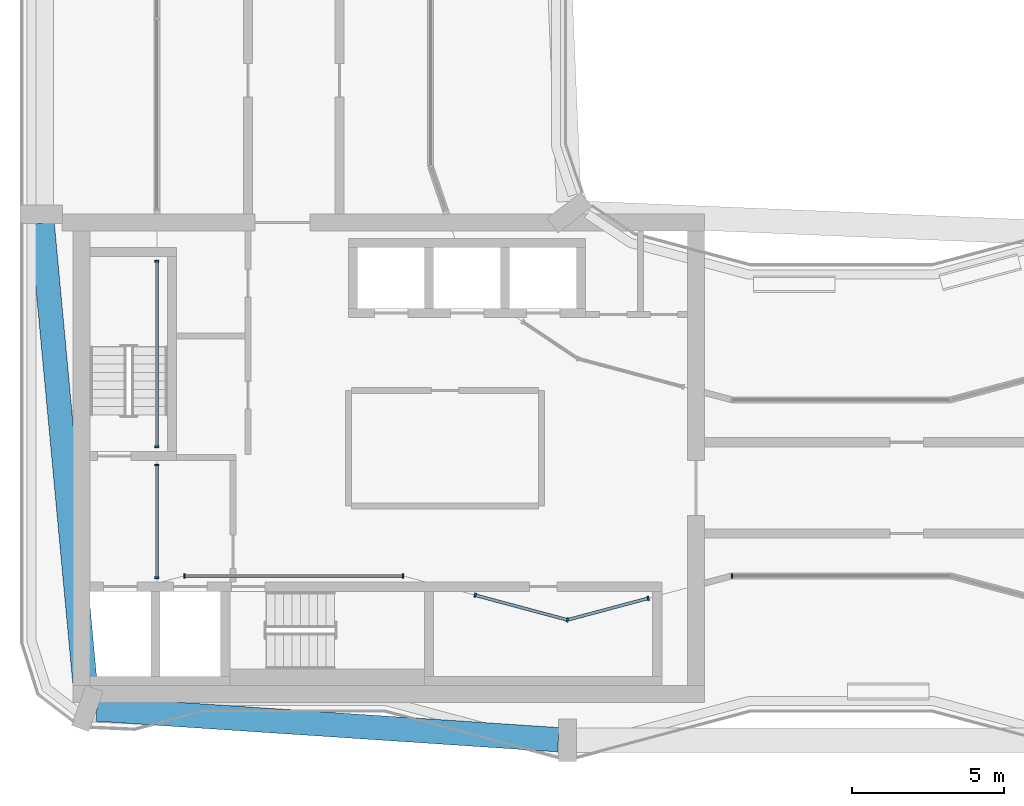
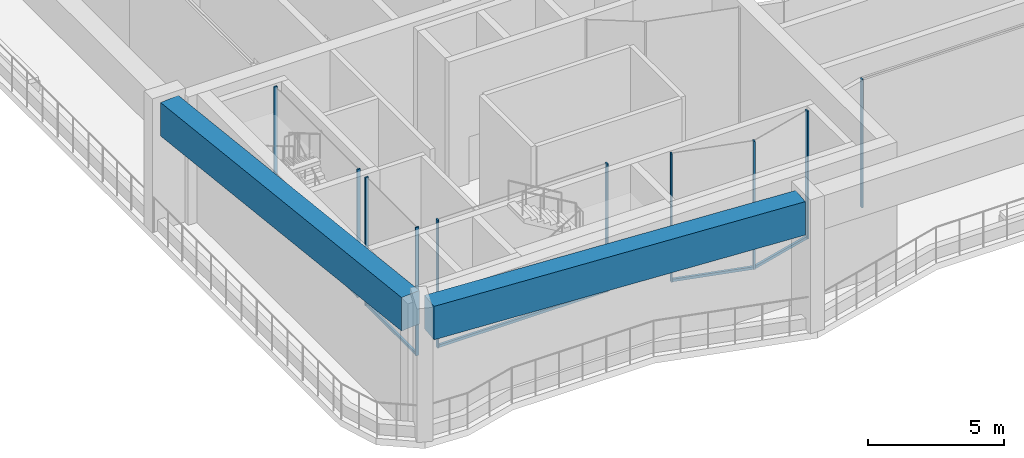
# One storey, part 2 of 17: 15 members, 2 beams, 6 elements without a shape of their own.
"""IFC4 building model written with IfcOpenShell, lengths in metres."""

from ifc_helpers import new_model, si_unit, direction, frame, origin, origin_2d, place, context, subcontext, project, spatial, rectangle, extrude, material, layer, layer_set, material_profile, profile_set, type_object, element, aggregate, save


model = new_model("IFC4")

# Units and contexts
model_context = context("Model", 3, precision=1e-05, world=origin(), true_north=direction((0.0, 1.0)))
body_context = subcontext(model_context, "Body", "Model", "MODEL_VIEW")
ifc_project = project(units=[si_unit("LENGTHUNIT", "METRE"), si_unit("AREAUNIT", "SQUARE_METRE"), si_unit("VOLUMEUNIT", "CUBIC_METRE"), si_unit("PLANEANGLEUNIT", "RADIAN"), si_unit("MASSUNIT", "GRAM", prefix="KILO")], contexts=[model_context])

# Site, building, storey
site_placement = place(None, origin())
site = spatial("IfcSite", under=ifc_project, at=site_placement, CompositionType="ELEMENT")
building_placement = place(site_placement, origin())
building = spatial("IfcBuilding", under=site, at=building_placement, Name="Plateau Cross Towers", CompositionType="ELEMENT")
storey_placement = place(building_placement, frame((0.0, 0.0, 184.89990234375)))
storey = spatial("IfcBuildingStorey", under=building, at=storey_placement, Name="L48", CompositionType="ELEMENT", Elevation=184.89990234375)

# Beams
ifc_material_1 = material(Name="Concrete C60/75", Category="concrete")
ifc_material_profile_1 = material_profile(ifc_material_1, rectangle(XDim=0.800048828125, YDim=1.5, at=origin_2d()), Name="RC 800x1500")
ifc_profile_set_1 = profile_set([ifc_material_profile_1], Name="Concrete C60/75")
beam_type = type_object("IfcBeamType", Name="Belt beam RC 800x1500", PredefinedType="BEAM", material=ifc_profile_set_1)
beam_1_placement = place(storey_placement, frame((0.72802734375, 17.699951171875, 5.0), z_axis=(0.092702367319, -0.995693864144, 0.0), x_axis=(0.995693864144, 0.092702367319, 0.0)))
element("IfcBeam", 1, at=beam_1_placement, inside=storey, type_object=beam_type, Name="BELT-L48-11", PredefinedType="BEAM", context=body_context, shape_type="SweptSolid", body=[
    extrude(rectangle(XDim=0.800048828125, YDim=1.5, at=origin_2d()), origin(), (0.0, 0.0, 1.0), 15.319580078125),
])
beam_2_placement = place(storey_placement, frame((2.52490234375, 1.727294921875, 5.0), z_axis=(0.99780408253, -0.06623452941, 0.0), x_axis=(0.06623452941, 0.99780408253, 0.0)))
element("IfcBeam", 2, at=beam_2_placement, inside=storey, type_object=beam_type, Name="BELT-L48-12", PredefinedType="BEAM", context=body_context, shape_type="SweptSolid", body=[
    extrude(rectangle(XDim=0.800048828125, YDim=1.5, at=origin_2d()), origin(), (0.0, 0.0, 1.0), 15.20849609375),
])

# Curtain wall, members
ifc_material_2 = material(Name="Dark low-iron glass", Category="glass")
ifc_layer = layer(ifc_material_2, 0.239990234375)
ifc_layer_set = layer_set([ifc_layer], Name="Dark low-iron glass")
curtain_wall_type = type_object("IfcCurtainWallType", Name="Curtain wall flush unitised CW-B", PredefinedType="NOTDEFINED", material=ifc_layer_set)
curtain_wall_1_placement = place(storey_placement, origin())
curtain_wall_1 = element("IfcCurtainWall", 3, at=curtain_wall_1_placement, inside=storey, type_object=curtain_wall_type, Name="ENV/A/L48/inner0_45_60", PredefinedType="NOTDEFINED")
ifc_material_3 = material(Name="Black anodised aluminium", Category="aluminium")
ifc_material_profile_2 = material_profile(ifc_material_3, rectangle(XDim=0.06005859375, YDim=0.139892578125, at=origin_2d()), Name="MULLION 60x140")
ifc_profile_set_2 = profile_set([ifc_material_profile_2], Name="Black anodised aluminium")
member_type_1 = type_object("IfcMemberType", Name="Mullion 60x140 flush unitised", PredefinedType="MULLION", material=ifc_profile_set_2)
member_1_placement = place(storey_placement, frame((4.5, 6.050048828125, 0.0), z_axis=(0.0, 0.0, 1.0), x_axis=(0.0, 1.0, 0.0)))
member_1 = element("IfcMember", 4, at=member_1_placement, type_object=member_type_1, Name="CW-B mullion 1", PredefinedType="MULLION", context=body_context, shape_type="SweptSolid", body=[
    extrude(rectangle(XDim=0.06005859375, YDim=0.139892578125, at=origin_2d()), origin(), (0.0, 0.0, 1.0), 5.75),
])
member_2_placement = place(storey_placement, frame((4.5, 9.75, 0.0), z_axis=(0.0, 0.0, 1.0), x_axis=(0.0, 1.0, 0.0)))
member_2 = element("IfcMember", 5, at=member_2_placement, type_object=member_type_1, Name="CW-B mullion 2", PredefinedType="MULLION", context=body_context, shape_type="SweptSolid", body=[
    extrude(rectangle(XDim=0.06005859375, YDim=0.139892578125, at=origin_2d()), origin(), (0.0, 0.0, 1.0), 5.75),
])

curtain_wall_2_placement = place(storey_placement, origin())
curtain_wall_2 = element("IfcCurtainWall", 6, at=curtain_wall_2_placement, inside=storey, type_object=curtain_wall_type, Name="ENV/A/L48/inner0_45_104", PredefinedType="NOTDEFINED")
member_3_placement = place(storey_placement, frame((4.5, 10.35009765625, 0.0), z_axis=(0.0, 0.0, 1.0), x_axis=(0.0, 1.0, 0.0)))
member_3 = element("IfcMember", 7, at=member_3_placement, type_object=member_type_1, Name="CW-B mullion 1", PredefinedType="MULLION", context=body_context, shape_type="SweptSolid", body=[
    extrude(rectangle(XDim=0.06005859375, YDim=0.139892578125, at=origin_2d()), origin(), (0.0, 0.0, 1.0), 5.75),
])
member_4_placement = place(storey_placement, frame((4.5, 16.449951171875, 0.0), z_axis=(0.0, 0.0, 1.0), x_axis=(0.0, 1.0, 0.0)))
member_4 = element("IfcMember", 8, at=member_4_placement, type_object=member_type_1, Name="CW-B mullion 2", PredefinedType="MULLION", context=body_context, shape_type="SweptSolid", body=[
    extrude(rectangle(XDim=0.06005859375, YDim=0.139892578125, at=origin_2d()), origin(), (0.0, 0.0, 1.0), 5.75),
])

# Curtain wall, member
curtain_wall_3_placement = place(storey_placement, origin())
curtain_wall_3 = element("IfcCurtainWall", 9, at=curtain_wall_3_placement, inside=storey, type_object=curtain_wall_type, Name="ENV/A/L48/inner0_306_61", PredefinedType="NOTDEFINED")
member_5_placement = place(storey_placement, frame((23.407958984375, 6.10693359375, 0.0), z_axis=(0.0, 0.0, 1.0), x_axis=(-1.0, 0.0, 0.0)))
member_5 = element("IfcMember", 10, at=member_5_placement, type_object=member_type_1, Name="CW-B mullion 2", PredefinedType="MULLION", context=body_context, shape_type="SweptSolid", body=[
    extrude(rectangle(XDim=0.06005859375, YDim=0.139892578125, at=origin_2d()), origin(), (0.0, 0.0, 1.0), 5.75),
])
aggregate(curtain_wall_3, [member_5])

curtain_wall_4_placement = place(storey_placement, origin())
curtain_wall_4 = element("IfcCurtainWall", 11, at=curtain_wall_4_placement, inside=storey, type_object=curtain_wall_type, Name="ENV/A/L48/inner0_207_54", PredefinedType="NOTDEFINED")
member_6_placement = place(storey_placement, frame((20.651123046875, 5.36865234375, 0.0), z_axis=(0.0, 0.0, 1.0), x_axis=(-0.965957983404, -0.258699003279, 0.0)))
member_6 = element("IfcMember", 12, at=member_6_placement, type_object=member_type_1, Name="CW-B mullion 1", PredefinedType="MULLION", context=body_context, shape_type="SweptSolid", body=[
    extrude(rectangle(XDim=0.06005859375, YDim=0.139892578125, at=origin_2d()), origin(), (0.0, 0.0, 1.0), 5.75),
])

# Curtain wall, members
curtain_wall_5_placement = place(storey_placement, origin())
curtain_wall_5 = element("IfcCurtainWall", 13, at=curtain_wall_5_placement, inside=storey, type_object=curtain_wall_type, Name="ENV/A/L48/inner0_180_47", PredefinedType="NOTDEFINED")
member_7_placement = place(storey_placement, frame((18.0, 4.65869140625, 0.0), z_axis=(0.0, 0.0, 1.0), x_axis=(-0.965957983404, 0.258699003279, 0.0)))
member_7 = element("IfcMember", 14, at=member_7_placement, type_object=member_type_1, Name="CW-B mullion 1", PredefinedType="MULLION", context=body_context, shape_type="SweptSolid", body=[
    extrude(rectangle(XDim=0.06005859375, YDim=0.139892578125, at=origin_2d()), origin(), (0.0, 0.0, 1.0), 5.75),
])
member_8_placement = place(storey_placement, frame((14.9619140625, 5.47216796875, 0.0), z_axis=(0.0, 0.0, 1.0), x_axis=(-0.965957983404, 0.258699003279, 0.0)))
member_8 = element("IfcMember", 15, at=member_8_placement, type_object=member_type_1, Name="CW-B mullion 2", PredefinedType="MULLION", context=body_context, shape_type="SweptSolid", body=[
    extrude(rectangle(XDim=0.06005859375, YDim=0.139892578125, at=origin_2d()), origin(), (0.0, 0.0, 1.0), 5.75),
])

curtain_wall_6_placement = place(storey_placement, origin())
curtain_wall_6 = element("IfcCurtainWall", 16, at=curtain_wall_6_placement, inside=storey, type_object=curtain_wall_type, Name="ENV/A/L48/inner0_126_61", PredefinedType="NOTDEFINED")
member_9_placement = place(storey_placement, frame((12.592041015625, 6.10693359375, 0.0), z_axis=(0.0, 0.0, 1.0), x_axis=(-1.0, 0.0, 0.0)))
member_9 = element("IfcMember", 17, at=member_9_placement, type_object=member_type_1, Name="CW-B mullion 1", PredefinedType="MULLION", context=body_context, shape_type="SweptSolid", body=[
    extrude(rectangle(XDim=0.06005859375, YDim=0.139892578125, at=origin_2d()), origin(), (0.0, 0.0, 1.0), 5.75),
])
member_10_placement = place(storey_placement, frame((5.407958984375, 6.10693359375, 0.0), z_axis=(0.0, 0.0, 1.0), x_axis=(-1.0, 0.0, 0.0)))
member_10 = element("IfcMember", 18, at=member_10_placement, type_object=member_type_1, Name="CW-B mullion 2", PredefinedType="MULLION", context=body_context, shape_type="SweptSolid", body=[
    extrude(rectangle(XDim=0.06005859375, YDim=0.139892578125, at=origin_2d()), origin(), (0.0, 0.0, 1.0), 5.75),
])

# Member
ifc_material_profile_3 = material_profile(ifc_material_3, rectangle(XDim=0.10009765625, YDim=0.1201171875, at=origin_2d()), Name="TRANSOM 100x120")
ifc_profile_set_3 = profile_set([ifc_material_profile_3], Name="Black anodised aluminium")
member_type_2 = type_object("IfcMemberType", Name="Transom 100x120 flush unitised", PredefinedType="USERDEFINED", material=ifc_profile_set_3)
member_11_placement = place(storey_placement, frame((4.5, 6.050048828125, 0.06005859375), z_axis=(0.0, 1.0, 0.0), x_axis=(-1.0, 0.0, 0.0)))
member_11 = element("IfcMember", 19, at=member_11_placement, type_object=member_type_2, Name="CW-B transom", ObjectType="TRANSOM", PredefinedType="USERDEFINED", context=body_context, shape_type="SweptSolid", body=[
    extrude(rectangle(XDim=0.10009765625, YDim=0.1201171875, at=origin_2d()), origin(), (0.0, 0.0, 1.0), 3.699951171875),
])

aggregate(curtain_wall_1, [member_1, member_2, member_11])

member_12_placement = place(storey_placement, frame((4.5, 10.35009765625, 0.06005859375), z_axis=(0.0, 1.0, 0.0), x_axis=(-1.0, 0.0, 0.0)))
member_12 = element("IfcMember", 20, at=member_12_placement, type_object=member_type_2, Name="CW-B transom", ObjectType="TRANSOM", PredefinedType="USERDEFINED", context=body_context, shape_type="SweptSolid", body=[
    extrude(rectangle(XDim=0.10009765625, YDim=0.1201171875, at=origin_2d()), origin(), (0.0, 0.0, 1.0), 6.099853515625),
])

aggregate(curtain_wall_2, [member_3, member_4, member_12])

member_13_placement = place(storey_placement, frame((20.651123046875, 5.36865234375, 0.06005859375), z_axis=(-0.965962739041, -0.258681245523, 0.0), x_axis=(0.258681245523, -0.965962739041, 0.0)))
member_13 = element("IfcMember", 21, at=member_13_placement, type_object=member_type_2, Name="CW-B transom", ObjectType="TRANSOM", PredefinedType="USERDEFINED", context=body_context, shape_type="SweptSolid", body=[
    extrude(rectangle(XDim=0.10009765625, YDim=0.1201171875, at=origin_2d()), origin(), (0.0, 0.0, 1.0), 2.74462890625),
])

aggregate(curtain_wall_4, [member_6, member_13])

member_14_placement = place(storey_placement, frame((18.0, 4.65869140625, 0.06005859375), z_axis=(-0.965971605369, 0.258648134771, 0.0), x_axis=(-0.258648134771, -0.965971605369, 0.0)))
member_14 = element("IfcMember", 22, at=member_14_placement, type_object=member_type_2, Name="CW-B transom", ObjectType="TRANSOM", PredefinedType="USERDEFINED", context=body_context, shape_type="SweptSolid", body=[
    extrude(rectangle(XDim=0.10009765625, YDim=0.1201171875, at=origin_2d()), origin(), (0.0, 0.0, 1.0), 3.14501953125),
])

aggregate(curtain_wall_5, [member_7, member_8, member_14])

member_15_placement = place(storey_placement, frame((12.592041015625, 6.10693359375, 0.06005859375), z_axis=(-1.0, 0.0, 0.0), x_axis=(0.0, -1.0, 0.0)))
member_15 = element("IfcMember", 23, at=member_15_placement, type_object=member_type_2, Name="CW-B transom", ObjectType="TRANSOM", PredefinedType="USERDEFINED", context=body_context, shape_type="SweptSolid", body=[
    extrude(rectangle(XDim=0.10009765625, YDim=0.1201171875, at=origin_2d()), origin(), (0.0, 0.0, 1.0), 7.18408203125),
])

aggregate(curtain_wall_6, [member_9, member_10, member_15])

save(model, "model.ifc")
